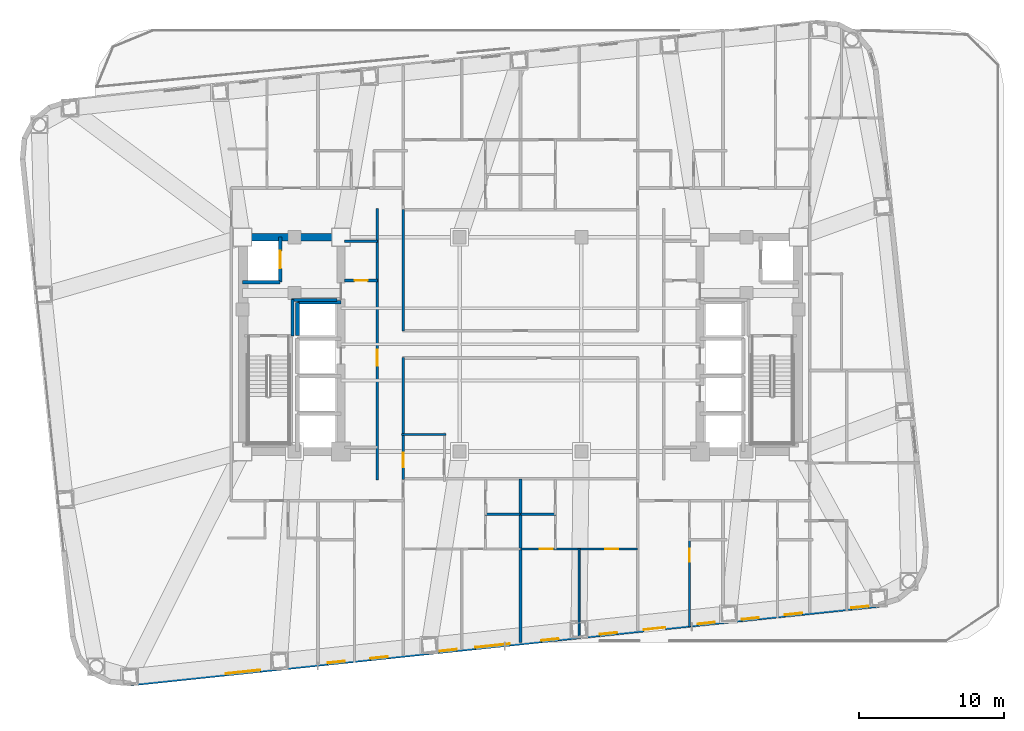
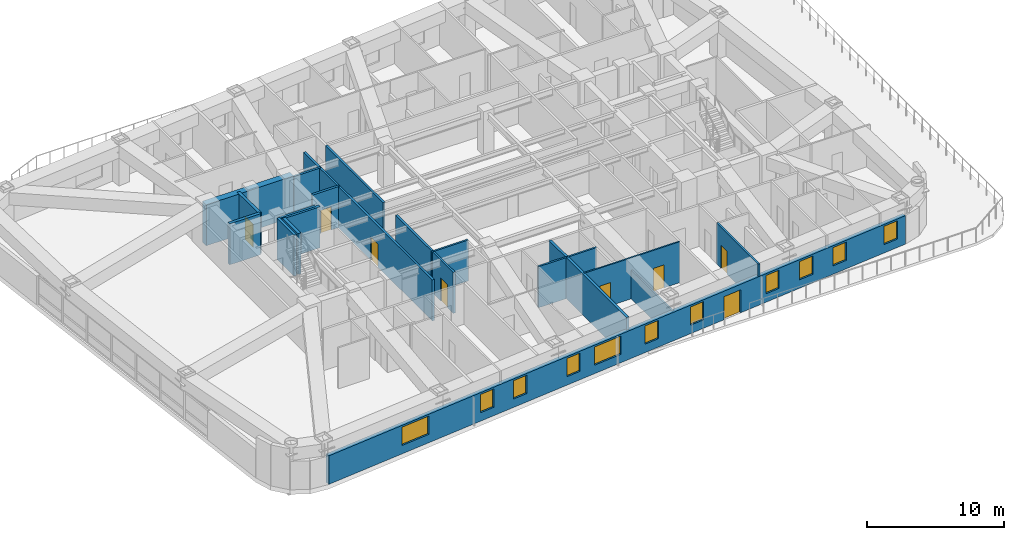
# One storey, part 8 of 15: 20 walls, 11 windows, 8 doors, 19 openings.
"""IFC4 building model written with IfcOpenShell, lengths in metres."""

from ifc_helpers import new_model, si_unit, direction, frame, frame_2d, origin, place, context, subcontext, project, spatial, rectangle, extrude, material, layer, layer_set, type_object, element, fill, save


model = new_model("IFC4")

# Units and contexts
model_context = context("Model", 3, precision=1e-05, world=origin(), true_north=direction((0.0, 1.0)))
body_context = subcontext(model_context, "Body", "Model", "MODEL_VIEW")
ifc_project = project(units=[si_unit("LENGTHUNIT", "METRE"), si_unit("AREAUNIT", "SQUARE_METRE"), si_unit("VOLUMEUNIT", "CUBIC_METRE"), si_unit("PLANEANGLEUNIT", "RADIAN"), si_unit("MASSUNIT", "GRAM", prefix="KILO")], contexts=[model_context])

# Site, building, storey
site_placement = place(None, origin())
site = spatial("IfcSite", under=ifc_project, at=site_placement, CompositionType="ELEMENT")
building_placement = place(site_placement, origin())
building = spatial("IfcBuilding", under=site, at=building_placement, Name="Voryun Gate Residences", CompositionType="ELEMENT")
storey_placement = place(building_placement, frame((0.0, 0.0, 140.39990234375)))
storey = spatial("IfcBuildingStorey", under=building, at=storey_placement, Name="L34", CompositionType="ELEMENT", Elevation=140.39990234375)

# Walls
ifc_material_1 = material(Name="Concrete C60/75", Category="concrete")
ifc_layer_1 = layer(ifc_material_1, 0.550048828125, Name="CW_CORE_550")
ifc_layer_set_1 = layer_set([ifc_layer_1], Name="Concrete C60/75")
wall_type_1 = type_object("IfcWallType", Name="CW_CORE_550", PredefinedType="SHEAR", material=ifc_layer_set_1)
wall_1_placement = place(storey_placement, frame((-19.47509765625, 7.39990234375, 0.0), z_axis=(0.0, 0.0, 1.0), x_axis=(1.0, 0.0, 0.0)))
element("IfcWall", 1, at=wall_1_placement, inside=storey, type_object=wall_type_1, Name="L34 Core shear wall CW-L34-WN", PredefinedType="SHEAR", context=body_context, shape_type="SweptSolid", body=[
    extrude(rectangle(XDim=7.35009765625, YDim=0.550048828125, at=frame_2d((3.675048828125, 0.0))), origin(), (0.0, 0.0, 1.0), 3.650146484375),
])
ifc_material_2 = material(Name="Gypsum acoustic fireboard")
ifc_layer_2 = layer(ifc_material_2, 0.179931640625, Name="W_CORR_RATED_180")
ifc_layer_set_2 = layer_set([ifc_layer_2], Name="Gypsum acoustic fireboard")
wall_type_2 = type_object("IfcWallType", Name="W_CORR_RATED_180", PredefinedType="PARTITIONING", material=ifc_layer_set_2)
wall_2_placement = place(storey_placement, frame((-12.14990234375, 7.1201171875, 0.0), z_axis=(0.0, 0.0, 1.0), x_axis=(1.0, 0.0, 0.0)))
element("IfcWall", 2, at=wall_2_placement, inside=storey, type_object=wall_type_2, Name="Partition wall WP-L34-PLBN-W", PredefinedType="PARTITIONING", context=body_context, shape_type="SweptSolid", body=[
    extrude(rectangle(XDim=2.27001953125, YDim=0.179931640625, at=frame_2d((1.135009765625, 0.0))), origin(), (0.0, 0.0, 1.0), 3.650146484375),
])

# Wall, opening, door
wall_3_placement = place(storey_placement, frame((-9.89990234375, -9.3798828125, 0.0), z_axis=(0.0, 0.0, 1.0), x_axis=(0.0, 1.0, 0.0)))
wall_3 = element("IfcWall", 3, at=wall_3_placement, inside=storey, type_object=wall_type_2, Name="Partition wall WP-L34-PLBW-FULL", PredefinedType="PARTITIONING", context=body_context, shape_type="SweptSolid", body=[
    extrude(rectangle(XDim=18.759765625, YDim=0.179931640625, at=frame_2d((9.3798828125, 0.0))), origin(), (0.0, 0.0, 1.0), 3.650146484375),
])
opening_1_placement = place(wall_3_placement, frame((7.89208984375, 0.0, 0.0)))
opening_1 = element("IfcOpeningElement", 4, at=opening_1_placement, cuts=wall_3, Name="Opening D-FD60-2", PredefinedType="OPENING", context=body_context, shape_type="SweptSolid", body=[
    extrude(rectangle(XDim=1.10009765625, YDim=2.050048828125, at=frame_2d((0.550048828125, 1.02490234375))), frame((0.0, 0.099853515625, 0.0), z_axis=(0.0, -1.0, 0.0), x_axis=(1.0, 0.0, 0.0)), (0.0, 0.0, 1.0), 0.199951171875),
])
ifc_material_3 = material(Name="Painted steel fire door", Category="steel")
door_type_1 = type_object("IfcDoorType", Name="DR_FD60_FFLOB_1100", OperationType="NOTDEFINED", PredefinedType="DOOR", material=ifc_material_3)
door_1_placement = place(opening_1_placement, origin())
door_1 = element("IfcDoor", 5, at=door_1_placement, inside=storey, type_object=door_type_1, Name="Door DR-L34-PLBW-COR", OperationType="SINGLE_SWING_LEFT", OverallHeight=2.050048828125, OverallWidth=1.10009765625, PredefinedType="DOOR", context=body_context, shape_type="SweptSolid", body=[
    extrude(rectangle(XDim=1.10009765625, YDim=2.050048828125, at=frame_2d((0.550048828125, 1.02490234375))), frame((0.0, 0.02490234375, 0.0), z_axis=(0.0, -1.0, 0.0), x_axis=(1.0, 0.0, 0.0)), (0.0, 0.0, 1.0), 0.050048828125),
])
fill(opening_1, door_1)

# Wall
wall_4_placement = place(storey_placement, frame((-8.10009765625, 0.919921875, 0.0), z_axis=(0.0, 0.0, 1.0), x_axis=(0.0, 1.0, 0.0)))
element("IfcWall", 6, at=wall_4_placement, inside=storey, type_object=wall_type_2, Name="Partition wall WP-L34-Z2WL1", PredefinedType="PARTITIONING", context=body_context, shape_type="SweptSolid", body=[
    extrude(rectangle(XDim=8.41015625, YDim=0.179931640625, at=frame_2d((4.205078125, 0.0))), origin(), (0.0, 0.0, 1.0), 3.650146484375),
])

# Wall, opening, door
wall_5_placement = place(storey_placement, frame((-8.10009765625, -9.330078125, 0.0), z_axis=(0.0, 0.0, 1.0), x_axis=(0.0, 1.0, 0.0)))
wall_5 = element("IfcWall", 7, at=wall_5_placement, inside=storey, type_object=wall_type_2, Name="Partition wall WP-L34-Z2WL2", PredefinedType="PARTITIONING", context=body_context, shape_type="SweptSolid", body=[
    extrude(rectangle(XDim=8.41015625, YDim=0.179931640625, at=frame_2d((4.205078125, 0.0))), origin(), (0.0, 0.0, 1.0), 3.650146484375),
])
opening_2_placement = place(wall_5_placement, frame((0.845703125, 0.0, 0.0)))
opening_2 = element("IfcOpeningElement", 8, at=opening_2_placement, cuts=wall_5, Name="Opening D-AWC-1", PredefinedType="OPENING", context=body_context, shape_type="SweptSolid", body=[
    extrude(rectangle(XDim=1.0, YDim=2.050048828125, at=frame_2d((0.5, 1.02490234375))), frame((0.0, 0.099853515625, 0.0), z_axis=(0.0, -1.0, 0.0), x_axis=(1.0, 0.0, 0.0)), (0.0, 0.0, 1.0), 0.199951171875),
])
ifc_material_4 = material(Name="Architectural oak veneer")
door_type_2 = type_object("IfcDoorType", Name="DR_ACC_WC_1000", OperationType="NOTDEFINED", PredefinedType="DOOR", material=ifc_material_4)
door_2_placement = place(opening_2_placement, origin())
door_2 = element("IfcDoor", 9, at=door_2_placement, inside=storey, type_object=door_type_2, Name="Door DR-L34-CMWC-D", OperationType="SINGLE_SWING_LEFT", OverallHeight=2.050048828125, OverallWidth=1.0, PredefinedType="DOOR", context=body_context, shape_type="SweptSolid", body=[
    extrude(rectangle(XDim=1.0, YDim=2.050048828125, at=frame_2d((0.5, 1.02490234375))), frame((0.0, 0.02490234375, 0.0), z_axis=(0.0, -1.0, 0.0), x_axis=(1.0, 0.0, 0.0)), (0.0, 0.0, 1.0), 0.050048828125),
])
fill(opening_2, door_2)

# Wall, openings, door, windows
ifc_material_5 = material(Name="Charcoal terracotta masonry", Category="masonry")
ifc_layer_3 = layer(ifc_material_5, 0.340087890625, Name="W_EXT_TERRACOTTA_340")
ifc_layer_set_3 = layer_set([ifc_layer_3], Name="Charcoal terracotta masonry")
wall_type_3 = type_object("IfcWallType", Name="W_EXT_TERRACOTTA_340", PredefinedType="ELEMENTEDWALL", material=ifc_layer_set_3)
wall_6_placement = place(storey_placement, frame((24.755615234375, -18.003173828125, 0.0), z_axis=(0.0, 0.0, 1.0), x_axis=(-0.99452160744, -0.104531202687, 0.0)))
wall_6 = element("IfcWall", 10, at=wall_6_placement, inside=storey, type_object=wall_type_3, Name="Exterior wall WEXT-L34-01", PredefinedType="ELEMENTEDWALL", context=body_context, shape_type="SweptSolid", body=[
    extrude(rectangle(XDim=51.966552734375, YDim=0.340087890625, at=frame_2d((25.9833984375, 0.0))), origin(), (0.0, 0.0, 1.0), 2.5400390625),
])
opening_3_placement = place(wall_6_placement, frame((14.840087890625, 0.0, 0.0)))
opening_3 = element("IfcOpeningElement", 11, at=opening_3_placement, cuts=wall_6, Name="Opening D-TER-1", PredefinedType="OPENING", context=body_context, shape_type="SweptSolid", body=[
    extrude(rectangle(XDim=1.5, YDim=2.050048828125, at=frame_2d((0.75, 1.02490234375))), frame((0.0, 0.179931640625, 0.0), z_axis=(0.0, -1.0, 0.0), x_axis=(1.0, 0.0, 0.0)), (0.0, 0.0, 1.0), 0.360107421875),
])
opening_4_placement = place(wall_6_placement, frame((25.63330078125, 0.0, 0.75)))
opening_4 = element("IfcOpeningElement", 12, at=opening_4_placement, cuts=wall_6, Name="Opening WN2", PredefinedType="OPENING", context=body_context, shape_type="SweptSolid", body=[
    extrude(rectangle(XDim=2.39990234375, YDim=1.6298828125, at=frame_2d((1.199951171875, 0.81494140625))), frame((0.0, 0.179931640625, 0.0), z_axis=(0.0, -1.0, 0.0), x_axis=(1.0, 0.0, 0.0)), (0.0, 0.0, 1.0), 0.360107421875),
])
opening_5_placement = place(wall_6_placement, frame((42.955322265625, 0.0, 0.75)))
opening_5 = element("IfcOpeningElement", 13, at=opening_5_placement, cuts=wall_6, Name="Opening WN2", PredefinedType="OPENING", context=body_context, shape_type="SweptSolid", body=[
    extrude(rectangle(XDim=2.39990234375, YDim=1.6298828125, at=frame_2d((1.199951171875, 0.81494140625))), frame((0.0, 0.179931640625, 0.0), z_axis=(0.0, -1.0, 0.0), x_axis=(1.0, 0.0, 0.0)), (0.0, 0.0, 1.0), 0.360107421875),
])
opening_6_placement = place(wall_6_placement, frame((34.120849609375, 0.0, 0.75)))
opening_6 = element("IfcOpeningElement", 14, at=opening_6_placement, cuts=wall_6, Name="Opening WN6", PredefinedType="OPENING", context=body_context, shape_type="SweptSolid", body=[
    extrude(rectangle(XDim=1.199951171875, YDim=1.6298828125, at=frame_2d((0.60009765625, 0.81494140625))), frame((0.0, 0.179931640625, 0.0), z_axis=(0.0, -1.0, 0.0), x_axis=(1.0, 0.0, 0.0)), (0.0, 0.0, 1.0), 0.360107421875),
])
opening_7_placement = place(wall_6_placement, frame((37.09228515625, 0.0, 0.75)))
opening_7 = element("IfcOpeningElement", 15, at=opening_7_placement, cuts=wall_6, Name="Opening WN6", PredefinedType="OPENING", context=body_context, shape_type="SweptSolid", body=[
    extrude(rectangle(XDim=1.199951171875, YDim=1.6298828125, at=frame_2d((0.60009765625, 0.81494140625))), frame((0.0, 0.179931640625, 0.0), z_axis=(0.0, -1.0, 0.0), x_axis=(1.0, 0.0, 0.0)), (0.0, 0.0, 1.0), 0.360107421875),
])
opening_8_placement = place(wall_6_placement, frame((11.387939453125, 0.0, 0.75)))
opening_8 = element("IfcOpeningElement", 16, at=opening_8_placement, cuts=wall_6, Name="Opening WN6", PredefinedType="OPENING", context=body_context, shape_type="SweptSolid", body=[
    extrude(rectangle(XDim=1.199951171875, YDim=1.6298828125, at=frame_2d((0.60009765625, 0.81494140625))), frame((0.0, 0.179931640625, 0.0), z_axis=(0.0, -1.0, 0.0), x_axis=(1.0, 0.0, 0.0)), (0.0, 0.0, 1.0), 0.360107421875),
])
opening_9_placement = place(wall_6_placement, frame((8.33203125, 0.0, 0.75)))
opening_9 = element("IfcOpeningElement", 17, at=opening_9_placement, cuts=wall_6, Name="Opening WN6", PredefinedType="OPENING", context=body_context, shape_type="SweptSolid", body=[
    extrude(rectangle(XDim=1.199951171875, YDim=1.6298828125, at=frame_2d((0.60009765625, 0.81494140625))), frame((0.0, 0.179931640625, 0.0), z_axis=(0.0, -1.0, 0.0), x_axis=(1.0, 0.0, 0.0)), (0.0, 0.0, 1.0), 0.360107421875),
])
opening_10_placement = place(wall_6_placement, frame((5.330810546875, 0.0, 0.75)))
opening_10 = element("IfcOpeningElement", 18, at=opening_10_placement, cuts=wall_6, Name="Opening WN6", PredefinedType="OPENING", context=body_context, shape_type="SweptSolid", body=[
    extrude(rectangle(XDim=1.199951171875, YDim=1.6298828125, at=frame_2d((0.60009765625, 0.81494140625))), frame((0.0, 0.179931640625, 0.0), z_axis=(0.0, -1.0, 0.0), x_axis=(1.0, 0.0, 0.0)), (0.0, 0.0, 1.0), 0.360107421875),
])
opening_11_placement = place(wall_6_placement, frame((29.31298828125, 0.0, 0.75)))
opening_11 = element("IfcOpeningElement", 19, at=opening_11_placement, cuts=wall_6, Name="Opening WN6", PredefinedType="OPENING", context=body_context, shape_type="SweptSolid", body=[
    extrude(rectangle(XDim=1.199951171875, YDim=1.6298828125, at=frame_2d((0.60009765625, 0.81494140625))), frame((0.0, 0.179931640625, 0.0), z_axis=(0.0, -1.0, 0.0), x_axis=(1.0, 0.0, 0.0)), (0.0, 0.0, 1.0), 0.360107421875),
])
opening_12_placement = place(wall_6_placement, frame((22.248291015625, 0.0, 0.75)))
opening_12 = element("IfcOpeningElement", 20, at=opening_12_placement, cuts=wall_6, Name="Opening WN6", PredefinedType="OPENING", context=body_context, shape_type="SweptSolid", body=[
    extrude(rectangle(XDim=1.199951171875, YDim=1.6298828125, at=frame_2d((0.60009765625, 0.81494140625))), frame((0.0, 0.179931640625, 0.0), z_axis=(0.0, -1.0, 0.0), x_axis=(1.0, 0.0, 0.0)), (0.0, 0.0, 1.0), 0.360107421875),
])
opening_13_placement = place(wall_6_placement, frame((18.18603515625, 0.0, 0.75)))
opening_13 = element("IfcOpeningElement", 21, at=opening_13_placement, cuts=wall_6, Name="Opening WN6", PredefinedType="OPENING", context=body_context, shape_type="SweptSolid", body=[
    extrude(rectangle(XDim=1.199951171875, YDim=1.6298828125, at=frame_2d((0.60009765625, 0.81494140625))), frame((0.0, 0.179931640625, 0.0), z_axis=(0.0, -1.0, 0.0), x_axis=(1.0, 0.0, 0.0)), (0.0, 0.0, 1.0), 0.360107421875),
])
opening_14_placement = place(wall_6_placement, frame((0.718017578125, 0.0, 0.75)))
opening_14 = element("IfcOpeningElement", 22, at=opening_14_placement, cuts=wall_6, Name="Opening WN6", PredefinedType="OPENING", context=body_context, shape_type="SweptSolid", body=[
    extrude(rectangle(XDim=1.199951171875, YDim=1.6298828125, at=frame_2d((0.60009765625, 0.81494140625))), frame((0.0, 0.179931640625, 0.0), z_axis=(0.0, -1.0, 0.0), x_axis=(1.0, 0.0, 0.0)), (0.0, 0.0, 1.0), 0.360107421875),
])
ifc_material_6 = material(Name="Thermally broken aluminium and low-E glass", Category="aluminium")
door_type_3 = type_object("IfcDoorType", Name="DR_TERR_EXIT_1500", OperationType="NOTDEFINED", PredefinedType="DOOR", material=ifc_material_6)
door_3_placement = place(opening_3_placement, origin())
door_3 = element("IfcDoor", 23, at=door_3_placement, inside=storey, type_object=door_type_3, Name="Door DR-L34-OUT-01", OperationType="SLIDING_TO_RIGHT", OverallHeight=2.050048828125, OverallWidth=1.5, PredefinedType="DOOR", context=body_context, shape_type="SweptSolid", body=[
    extrude(rectangle(XDim=1.5, YDim=2.050048828125, at=frame_2d((0.75, 1.02490234375))), frame((0.0, 0.02490234375, 0.0), z_axis=(0.0, -1.0, 0.0), x_axis=(1.0, 0.0, 0.0)), (0.0, 0.0, 1.0), 0.050048828125),
])
fill(opening_3, door_3)
ifc_material_7 = material(Name="Laminated low-E glass", Category="glass")
window_type_1 = type_object("IfcWindowType", Name="WN_POD_SLOT_1200", PartitioningType="SINGLE_PANEL", PredefinedType="WINDOW", material=ifc_material_7)
window_1_placement = place(opening_6_placement, origin())
window_1 = element("IfcWindow", 24, at=window_1_placement, inside=storey, type_object=window_type_1, Name="Window WN-L34-DWFIX-10", OverallHeight=1.6298828125, OverallWidth=1.199951171875, PartitioningType="SINGLE_PANEL", PredefinedType="WINDOW", context=body_context, shape_type="SweptSolid", body=[
    extrude(rectangle(XDim=1.199951171875, YDim=1.6298828125, at=frame_2d((0.60009765625, 0.81494140625))), frame((0.0, 0.030029296875, 0.0), z_axis=(0.0, -1.0, 0.0), x_axis=(1.0, 0.0, 0.0)), (0.0, 0.0, 1.0), 0.06005859375),
])
fill(opening_6, window_1)
window_2_placement = place(opening_7_placement, origin())
window_2 = element("IfcWindow", 25, at=window_2_placement, inside=storey, type_object=window_type_1, Name="Window WN-L34-DWFIX-11", OverallHeight=1.6298828125, OverallWidth=1.199951171875, PartitioningType="SINGLE_PANEL", PredefinedType="WINDOW", context=body_context, shape_type="SweptSolid", body=[
    extrude(rectangle(XDim=1.199951171875, YDim=1.6298828125, at=frame_2d((0.60009765625, 0.81494140625))), frame((0.0, 0.030029296875, 0.0), z_axis=(0.0, -1.0, 0.0), x_axis=(1.0, 0.0, 0.0)), (0.0, 0.0, 1.0), 0.06005859375),
])
fill(opening_7, window_2)
window_3_placement = place(opening_8_placement, origin())
window_3 = element("IfcWindow", 26, at=window_3_placement, inside=storey, type_object=window_type_1, Name="Window WN-L34-DWFIX-12", OverallHeight=1.6298828125, OverallWidth=1.199951171875, PartitioningType="SINGLE_PANEL", PredefinedType="WINDOW", context=body_context, shape_type="SweptSolid", body=[
    extrude(rectangle(XDim=1.199951171875, YDim=1.6298828125, at=frame_2d((0.60009765625, 0.81494140625))), frame((0.0, 0.030029296875, 0.0), z_axis=(0.0, -1.0, 0.0), x_axis=(1.0, 0.0, 0.0)), (0.0, 0.0, 1.0), 0.06005859375),
])
fill(opening_8, window_3)
window_4_placement = place(opening_9_placement, origin())
window_4 = element("IfcWindow", 27, at=window_4_placement, inside=storey, type_object=window_type_1, Name="Window WN-L34-DWFIX-13", OverallHeight=1.6298828125, OverallWidth=1.199951171875, PartitioningType="SINGLE_PANEL", PredefinedType="WINDOW", context=body_context, shape_type="SweptSolid", body=[
    extrude(rectangle(XDim=1.199951171875, YDim=1.6298828125, at=frame_2d((0.60009765625, 0.81494140625))), frame((0.0, 0.030029296875, 0.0), z_axis=(0.0, -1.0, 0.0), x_axis=(1.0, 0.0, 0.0)), (0.0, 0.0, 1.0), 0.06005859375),
])
fill(opening_9, window_4)
window_5_placement = place(opening_10_placement, origin())
window_5 = element("IfcWindow", 28, at=window_5_placement, inside=storey, type_object=window_type_1, Name="Window WN-L34-DWFIX-14", OverallHeight=1.6298828125, OverallWidth=1.199951171875, PartitioningType="SINGLE_PANEL", PredefinedType="WINDOW", context=body_context, shape_type="SweptSolid", body=[
    extrude(rectangle(XDim=1.199951171875, YDim=1.6298828125, at=frame_2d((0.60009765625, 0.81494140625))), frame((0.0, 0.030029296875, 0.0), z_axis=(0.0, -1.0, 0.0), x_axis=(1.0, 0.0, 0.0)), (0.0, 0.0, 1.0), 0.06005859375),
])
fill(opening_10, window_5)
window_6_placement = place(opening_11_placement, origin())
window_6 = element("IfcWindow", 29, at=window_6_placement, inside=storey, type_object=window_type_1, Name="Window WN-L34-DWFIX-15", OverallHeight=1.6298828125, OverallWidth=1.199951171875, PartitioningType="SINGLE_PANEL", PredefinedType="WINDOW", context=body_context, shape_type="SweptSolid", body=[
    extrude(rectangle(XDim=1.199951171875, YDim=1.6298828125, at=frame_2d((0.60009765625, 0.81494140625))), frame((0.0, 0.030029296875, 0.0), z_axis=(0.0, -1.0, 0.0), x_axis=(1.0, 0.0, 0.0)), (0.0, 0.0, 1.0), 0.06005859375),
])
fill(opening_11, window_6)
window_7_placement = place(opening_12_placement, origin())
window_7 = element("IfcWindow", 30, at=window_7_placement, inside=storey, type_object=window_type_1, Name="Window WN-L34-DWFIX-16", OverallHeight=1.6298828125, OverallWidth=1.199951171875, PartitioningType="SINGLE_PANEL", PredefinedType="WINDOW", context=body_context, shape_type="SweptSolid", body=[
    extrude(rectangle(XDim=1.199951171875, YDim=1.6298828125, at=frame_2d((0.60009765625, 0.81494140625))), frame((0.0, 0.030029296875, 0.0), z_axis=(0.0, -1.0, 0.0), x_axis=(1.0, 0.0, 0.0)), (0.0, 0.0, 1.0), 0.06005859375),
])
fill(opening_12, window_7)
window_8_placement = place(opening_13_placement, origin())
window_8 = element("IfcWindow", 31, at=window_8_placement, inside=storey, type_object=window_type_1, Name="Window WN-L34-DWFIX-17", OverallHeight=1.6298828125, OverallWidth=1.199951171875, PartitioningType="SINGLE_PANEL", PredefinedType="WINDOW", context=body_context, shape_type="SweptSolid", body=[
    extrude(rectangle(XDim=1.199951171875, YDim=1.6298828125, at=frame_2d((0.60009765625, 0.81494140625))), frame((0.0, 0.030029296875, 0.0), z_axis=(0.0, -1.0, 0.0), x_axis=(1.0, 0.0, 0.0)), (0.0, 0.0, 1.0), 0.06005859375),
])
fill(opening_13, window_8)
window_9_placement = place(opening_14_placement, origin())
window_9 = element("IfcWindow", 32, at=window_9_placement, inside=storey, type_object=window_type_1, Name="Window WN-L34-DWFIX-18", OverallHeight=1.6298828125, OverallWidth=1.199951171875, PartitioningType="SINGLE_PANEL", PredefinedType="WINDOW", context=body_context, shape_type="SweptSolid", body=[
    extrude(rectangle(XDim=1.199951171875, YDim=1.6298828125, at=frame_2d((0.60009765625, 0.81494140625))), frame((0.0, 0.030029296875, 0.0), z_axis=(0.0, -1.0, 0.0), x_axis=(1.0, 0.0, 0.0)), (0.0, 0.0, 1.0), 0.06005859375),
])
fill(opening_14, window_9)
ifc_material_8 = material(Name="Laminated low-E glass", Category="glass")
window_type_2 = type_object("IfcWindowType", Name="WN_RES_WIDE_2400", PartitioningType="SINGLE_PANEL", PredefinedType="WINDOW", material=ifc_material_8)
window_10_placement = place(opening_4_placement, origin())
window_10 = element("IfcWindow", 33, at=window_10_placement, inside=storey, type_object=window_type_2, Name="Window WN-WEXT-L34-01-02", OverallHeight=1.6298828125, OverallWidth=2.39990234375, PartitioningType="SINGLE_PANEL", PredefinedType="WINDOW", context=body_context, shape_type="SweptSolid", body=[
    extrude(rectangle(XDim=2.39990234375, YDim=1.6298828125, at=frame_2d((1.199951171875, 0.81494140625))), frame((0.0, 0.030029296875, 0.0), z_axis=(0.0, -1.0, 0.0), x_axis=(1.0, 0.0, 0.0)), (0.0, 0.0, 1.0), 0.06005859375),
])
fill(opening_4, window_10)
window_11_placement = place(opening_5_placement, origin())
window_11 = element("IfcWindow", 34, at=window_11_placement, inside=storey, type_object=window_type_2, Name="Window WN-WEXT-L34-01-03", OverallHeight=1.6298828125, OverallWidth=2.39990234375, PartitioningType="SINGLE_PANEL", PredefinedType="WINDOW", context=body_context, shape_type="SweptSolid", body=[
    extrude(rectangle(XDim=2.39990234375, YDim=1.6298828125, at=frame_2d((1.199951171875, 0.81494140625))), frame((0.0, 0.030029296875, 0.0), z_axis=(0.0, -1.0, 0.0), x_axis=(1.0, 0.0, 0.0)), (0.0, 0.0, 1.0), 0.06005859375),
])
fill(opening_5, window_11)

# Walls
ifc_material_9 = material(Name="Concrete C40/50", Category="concrete")
ifc_layer_4 = layer(ifc_material_9, 0.199951171875, Name="W_FF_LOBBY_200")
ifc_layer_set_4 = layer_set([ifc_layer_4], Name="Concrete C40/50")
wall_type_4 = type_object("IfcWallType", Name="W_FF_LOBBY_200", PredefinedType="PARTITIONING", material=ifc_layer_set_4)
wall_7_placement = place(storey_placement, frame((-15.760009765625, 0.580078125, 0.0), z_axis=(0.0, 0.0, 1.0), x_axis=(0.0, 1.0, 0.0)))
element("IfcWall", 35, at=wall_7_placement, inside=storey, type_object=wall_type_4, Name="Partition wall WP-L34-FFP0-W", PredefinedType="PARTITIONING", context=body_context, shape_type="SweptSolid", body=[
    extrude(rectangle(XDim=2.52001953125, YDim=0.199951171875, at=frame_2d((1.260009765625, 0.0))), origin(), (0.0, 0.0, 1.0), 3.650146484375),
])
wall_8_placement = place(storey_placement, frame((-15.820068359375, 3.06005859375, 0.0), z_axis=(0.0, 0.0, 1.0), x_axis=(1.0, 0.0, 0.0)))
element("IfcWall", 36, at=wall_8_placement, inside=storey, type_object=wall_type_4, Name="Partition wall WP-L34-FFPS-W", PredefinedType="PARTITIONING", context=body_context, shape_type="SweptSolid", body=[
    extrude(rectangle(XDim=3.16015625, YDim=0.199951171875, at=frame_2d((1.580078125, 0.0))), origin(), (0.0, 0.0, 1.0), 3.650146484375),
])

# Wall, opening, door
wall_9_placement = place(storey_placement, frame((-12.14990234375, 4.409912109375, 0.0), z_axis=(0.0, 0.0, 1.0), x_axis=(1.0, 0.0, 0.0)))
wall_9 = element("IfcWall", 37, at=wall_9_placement, inside=storey, type_object=wall_type_4, Name="Partition wall WP-L34-CSFLKS-W", PredefinedType="PARTITIONING", context=body_context, shape_type="SweptSolid", body=[
    extrude(rectangle(XDim=2.27001953125, YDim=0.199951171875, at=frame_2d((1.135009765625, 0.0))), origin(), (0.0, 0.0, 1.0), 3.650146484375),
])
opening_15_placement = place(wall_9_placement, frame((0.68505859375, 0.0, 0.0)))
opening_15 = element("IfcOpeningElement", 38, at=opening_15_placement, cuts=wall_9, Name="Opening D-FD60-4", PredefinedType="OPENING", context=body_context, shape_type="SweptSolid", body=[
    extrude(rectangle(XDim=0.89990234375, YDim=2.050048828125, at=frame_2d((0.449951171875, 1.02490234375))), frame((0.0, 0.110107421875, 0.0), z_axis=(0.0, -1.0, 0.0), x_axis=(1.0, 0.0, 0.0)), (0.0, 0.0, 1.0), 0.219970703125),
])
ifc_material_10 = material(Name="Painted steel fire door", Category="steel")
door_type_4 = type_object("IfcDoorType", Name="DR_FD60_RISER_900", OperationType="NOTDEFINED", PredefinedType="DOOR", material=ifc_material_10)
door_4_placement = place(opening_15_placement, origin())
door_4 = element("IfcDoor", 39, at=door_4_placement, inside=storey, type_object=door_type_4, Name="Door DR-L34-CSFLK-W", OperationType="SINGLE_SWING_LEFT", OverallHeight=2.050048828125, OverallWidth=0.89990234375, PredefinedType="DOOR", context=body_context, shape_type="SweptSolid", body=[
    extrude(rectangle(XDim=0.89990234375, YDim=2.050048828125, at=frame_2d((0.449951171875, 1.02490234375))), frame((0.0, 0.02490234375, 0.0), z_axis=(0.0, -1.0, 0.0), x_axis=(1.0, 0.0, 0.0)), (0.0, 0.0, 1.0), 0.050048828125),
])
fill(opening_15, door_4)

# Walls
ifc_material_11 = material(Name="Concrete C40/50", Category="concrete")
ifc_layer_5 = layer(ifc_material_11, 0.219970703125, Name="W_PARTY_ACOUSTIC_220")
ifc_layer_set_5 = layer_set([ifc_layer_5], Name="Concrete C40/50")
wall_type_5 = type_object("IfcWallType", Name="W_PARTY_ACOUSTIC_220", PredefinedType="PARTITIONING", material=ifc_layer_set_5)
wall_10_placement = place(storey_placement, frame((0.0, -20.60498046875, 0.0), z_axis=(0.0, 0.0, 1.0), x_axis=(0.0, 1.0, 0.0)))
element("IfcWall", 40, at=wall_10_placement, inside=storey, type_object=wall_type_5, Name="Partition wall WP-L34-SZMID", PredefinedType="PARTITIONING", context=body_context, shape_type="SweptSolid", body=[
    extrude(rectangle(XDim=11.31494140625, YDim=0.219970703125, at=frame_2d((5.657470703125, 0.0))), origin(), (0.0, 0.0, 1.0), 3.650146484375),
])
ifc_material_12 = material(Name="Concrete C50/60", Category="concrete")
ifc_layer_6 = layer(ifc_material_12, 0.25, Name="W_SHAFT_RC250")
ifc_layer_set_6 = layer_set([ifc_layer_6], Name="Concrete C50/60")
wall_type_6 = type_object("IfcWallType", Name="W_SHAFT_RC250", PredefinedType="SOLIDWALL", material=ifc_layer_set_6)
wall_11_placement = place(storey_placement, frame((-19.199951171875, 4.300048828125, 0.0), z_axis=(0.0, 0.0, 1.0), x_axis=(1.0, 0.0, 0.0)))
element("IfcWall", 41, at=wall_11_placement, inside=storey, type_object=wall_type_6, Name="Lift shaft wall WSH-L34-EL-FF-W1-S", PredefinedType="SOLIDWALL", context=body_context, shape_type="SweptSolid", body=[
    extrude(rectangle(XDim=2.599853515625, YDim=0.25, at=frame_2d((1.2998046875, 0.0))), origin(), (0.0, 0.0, 1.0), 3.650146484375),
])

# Wall, opening, door
wall_12_placement = place(storey_placement, frame((-16.60009765625, 4.300048828125, 0.0), z_axis=(0.0, 0.0, 1.0), x_axis=(0.0, 1.0, 0.0)))
wall_12 = element("IfcWall", 42, at=wall_12_placement, inside=storey, type_object=wall_type_6, Name="Lift shaft wall WSH-L34-EL-FF-W1-E", PredefinedType="SOLIDWALL", context=body_context, shape_type="SweptSolid", body=[
    extrude(rectangle(XDim=3.099853515625, YDim=0.25, at=frame_2d((1.5498046875, 0.0))), origin(), (0.0, 0.0, 1.0), 3.650146484375),
])
opening_16_placement = place(wall_12_placement, frame((0.949951171875, 0.0, 0.0)))
opening_16 = element("IfcOpeningElement", 43, at=opening_16_placement, cuts=wall_12, Name="Opening LD1", PredefinedType="OPENING", context=body_context, shape_type="SweptSolid", body=[
    extrude(rectangle(XDim=1.199951171875, YDim=2.050048828125, at=frame_2d((0.60009765625, 1.02490234375))), frame((0.0, 0.135009765625, 0.0), z_axis=(0.0, -1.0, 0.0), x_axis=(1.0, 0.0, 0.0)), (0.0, 0.0, 1.0), 0.27001953125),
])
ifc_material_13 = material(Name="Anodised aluminium", Category="aluminium")
door_type_5 = type_object("IfcDoorType", Name="DR_LD_FF_1200", OperationType="NOTDEFINED", PredefinedType="DOOR", material=ifc_material_13)
door_5_placement = place(opening_16_placement, origin())
door_5 = element("IfcDoor", 44, at=door_5_placement, inside=storey, type_object=door_type_5, Name="Lift EL-FF-W1 sliding landing door L34", OperationType="SLIDING_TO_LEFT", OverallHeight=2.050048828125, OverallWidth=1.199951171875, PredefinedType="DOOR", context=body_context, shape_type="SweptSolid", body=[
    extrude(rectangle(XDim=1.199951171875, YDim=2.050048828125, at=frame_2d((0.60009765625, 1.02490234375))), frame((0.0, 0.02490234375, 0.0), z_axis=(0.0, -1.0, 0.0), x_axis=(1.0, 0.0, 0.0)), (0.0, 0.0, 1.0), 0.050048828125),
])
fill(opening_16, door_5)

# Walls
wall_13_placement = place(storey_placement, frame((-12.39990234375, 2.89990234375, 0.0), z_axis=(0.0, 0.0, 1.0), x_axis=(-1.0, 0.0, 0.0)))
element("IfcWall", 45, at=wall_13_placement, inside=storey, type_object=wall_type_6, Name="Lift shaft wall WSH-L34-EL-P7-N", PredefinedType="SOLIDWALL", context=body_context, shape_type="SweptSolid", body=[
    extrude(rectangle(XDim=3.0, YDim=0.25, at=frame_2d((1.5, 0.0))), origin(), (0.0, 0.0, 1.0), 3.650146484375),
])
wall_14_placement = place(storey_placement, frame((-15.39990234375, 2.89990234375, 0.0), z_axis=(0.0, 0.0, 1.0), x_axis=(0.0, -1.0, 0.0)))
element("IfcWall", 46, at=wall_14_placement, inside=storey, type_object=wall_type_6, Name="Lift shaft wall WSH-L34-EL-P7-W", PredefinedType="SOLIDWALL", context=body_context, shape_type="SweptSolid", body=[
    extrude(rectangle(XDim=2.2998046875, YDim=0.25, at=frame_2d((1.14990234375, 0.0))), origin(), (0.0, 0.0, 1.0), 3.650146484375),
])

# Wall, openings, doors
ifc_material_14 = material(Name="Gypsum acoustic partition")
ifc_layer_7 = layer(ifc_material_14, 0.125, Name="W_UNIT_PART_125")
ifc_layer_set_7 = layer_set([ifc_layer_7], Name="Gypsum acoustic partition")
wall_type_7 = type_object("IfcWallType", Name="W_UNIT_PART_125", PredefinedType="PARTITIONING", material=ifc_layer_set_7)
wall_15_placement = place(storey_placement, frame((0.02001953125, -14.1298828125, 0.0), z_axis=(0.0, 0.0, 1.0), x_axis=(1.0, 0.0, 0.0)))
wall_15 = element("IfcWall", 47, at=wall_15_placement, inside=storey, type_object=wall_type_7, Name="Partition wall WP-L34-SC2-HZ", PredefinedType="PARTITIONING", context=body_context, shape_type="SweptSolid", body=[
    extrude(rectangle(XDim=8.06005859375, YDim=0.125, at=frame_2d((4.030029296875, 0.0))), origin(), (0.0, 0.0, 1.0), 3.650146484375),
])
opening_17_placement = place(wall_15_placement, frame((1.3232421875, 0.0, 0.0)))
opening_17 = element("IfcOpeningElement", 48, at=opening_17_placement, cuts=wall_15, Name="Opening D-INT-2", PredefinedType="OPENING", context=body_context, shape_type="SweptSolid", body=[
    extrude(rectangle(XDim=0.89990234375, YDim=2.050048828125, at=frame_2d((0.449951171875, 1.02490234375))), frame((0.0, 0.072509765625, 0.0), z_axis=(0.0, -1.0, 0.0), x_axis=(1.0, 0.0, 0.0)), (0.0, 0.0, 1.0), 0.14501953125),
])
opening_18_placement = place(wall_15_placement, frame((5.8369140625, 0.0, 0.0)))
opening_18 = element("IfcOpeningElement", 49, at=opening_18_placement, cuts=wall_15, Name="Opening D-INT-2", PredefinedType="OPENING", context=body_context, shape_type="SweptSolid", body=[
    extrude(rectangle(XDim=0.89990234375, YDim=2.050048828125, at=frame_2d((0.449951171875, 1.02490234375))), frame((0.0, 0.072509765625, 0.0), z_axis=(0.0, -1.0, 0.0), x_axis=(1.0, 0.0, 0.0)), (0.0, 0.0, 1.0), 0.14501953125),
])
ifc_material_15 = material(Name="Architectural oak veneer")
door_type_6 = type_object("IfcDoorType", Name="DR_INT_BATH_900", OperationType="NOTDEFINED", PredefinedType="DOOR", material=ifc_material_15)
door_6_placement = place(opening_17_placement, origin())
door_6 = element("IfcDoor", 50, at=door_6_placement, inside=storey, type_object=door_type_6, Name="Door DR-L34-SC2-DMB", OperationType="SINGLE_SWING_LEFT", OverallHeight=2.050048828125, OverallWidth=0.89990234375, PredefinedType="DOOR", context=body_context, shape_type="SweptSolid", body=[
    extrude(rectangle(XDim=0.89990234375, YDim=2.050048828125, at=frame_2d((0.449951171875, 1.02490234375))), frame((0.0, 0.02490234375, 0.0), z_axis=(0.0, -1.0, 0.0), x_axis=(1.0, 0.0, 0.0)), (0.0, 0.0, 1.0), 0.050048828125),
])
fill(opening_17, door_6)
door_7_placement = place(opening_18_placement, origin())
door_7 = element("IfcDoor", 51, at=door_7_placement, inside=storey, type_object=door_type_6, Name="Door DR-L34-SC2-DBD2", OperationType="SINGLE_SWING_RIGHT", OverallHeight=2.050048828125, OverallWidth=0.89990234375, PredefinedType="DOOR", context=body_context, shape_type="SweptSolid", body=[
    extrude(rectangle(XDim=0.89990234375, YDim=2.050048828125, at=frame_2d((0.449951171875, 1.02490234375))), frame((0.0, 0.02490234375, 0.0), z_axis=(0.0, -1.0, 0.0), x_axis=(1.0, 0.0, 0.0)), (0.0, 0.0, 1.0), 0.050048828125),
])
fill(opening_18, door_7)

# Walls
wall_16_placement = place(storey_placement, frame((4.050048828125, -20.179443359375, 0.0), z_axis=(0.0, 0.0, 1.0), x_axis=(0.0, 1.0, 0.0)))
element("IfcWall", 52, at=wall_16_placement, inside=storey, type_object=wall_type_7, Name="Partition wall WP-L34-SC2-VBD", PredefinedType="PARTITIONING", context=body_context, shape_type="SweptSolid", body=[
    extrude(rectangle(XDim=6.08935546875, YDim=0.125, at=frame_2d((3.044677734375, 0.0))), origin(), (0.0, 0.0, 1.0), 2.5400390625),
])
ifc_material_16 = material(Name="Gypsum moisture-resistant partition")
ifc_layer_8 = layer(ifc_material_16, 0.14990234375, Name="W_WET_PLUMB_150")
ifc_layer_set_8 = layer_set([ifc_layer_8], Name="Gypsum moisture-resistant partition")
wall_type_8 = type_object("IfcWallType", Name="W_WET_PLUMB_150", PredefinedType="PLUMBINGWALL", material=ifc_layer_set_8)
wall_17_placement = place(storey_placement, frame((-8.2099609375, -6.219970703125, 0.0), z_axis=(0.0, 0.0, 1.0), x_axis=(1.0, 0.0, 0.0)))
element("IfcWall", 53, at=wall_17_placement, inside=storey, type_object=wall_type_8, Name="Partition wall WP-L34-CMWCY", PredefinedType="PLUMBINGWALL", context=body_context, shape_type="SweptSolid", body=[
    extrude(rectangle(XDim=3.050048828125, YDim=0.14990234375, at=frame_2d((1.52490234375, 0.0))), origin(), (0.0, 0.0, 1.0), 3.650146484375),
])

# Wall, opening, door
wall_18_placement = place(storey_placement, frame((11.672119140625, -19.529052734375, 0.0), z_axis=(0.0, 0.0, 1.0), x_axis=(0.0, 1.0, 0.0)))
wall_18 = element("IfcWall", 54, at=wall_18_placement, inside=storey, type_object=wall_type_8, Name="Partition wall WP-L34-S4-SVT1", PredefinedType="PLUMBINGWALL", context=body_context, shape_type="SweptSolid", body=[
    extrude(rectangle(XDim=6.069091796875, YDim=0.14990234375, at=frame_2d((3.03466796875, 0.0))), origin(), (0.0, 0.0, 1.0), 3.650146484375),
])
opening_19_placement = place(wall_18_placement, frame((4.526611328125, 0.0, 0.0)))
opening_19 = element("IfcOpeningElement", 55, at=opening_19_placement, cuts=wall_18, Name="Opening D-INT-2", PredefinedType="OPENING", context=body_context, shape_type="SweptSolid", body=[
    extrude(rectangle(XDim=0.89990234375, YDim=2.050048828125, at=frame_2d((0.449951171875, 1.02490234375))), frame((0.0, 0.0849609375, 0.0), z_axis=(0.0, -1.0, 0.0), x_axis=(1.0, 0.0, 0.0)), (0.0, 0.0, 1.0), 0.169921875),
])
door_8_placement = place(opening_19_placement, origin())
door_8 = element("IfcDoor", 56, at=door_8_placement, inside=storey, type_object=door_type_6, Name="Door DR-L34-S4-DK", OperationType="SINGLE_SWING_LEFT", OverallHeight=2.050048828125, OverallWidth=0.89990234375, PredefinedType="DOOR", context=body_context, shape_type="SweptSolid", body=[
    extrude(rectangle(XDim=0.89990234375, YDim=2.050048828125, at=frame_2d((0.449951171875, 1.02490234375))), frame((0.0, 0.02490234375, 0.0), z_axis=(0.0, -1.0, 0.0), x_axis=(1.0, 0.0, 0.0)), (0.0, 0.0, 1.0), 0.050048828125),
])
fill(opening_19, door_8)

# Walls
for number, where, z_axis, x_axis, name in (
    (57, (-2.449951171875, -11.72998046875, 0.0), (0.0, 0.0, 1.0), (1.0, 0.0, 0.0), "Partition wall WP-L34-SC1-HKB"),
    (58, (0.02001953125, -11.72998046875, 0.0), (0.0, 0.0, 1.0), (1.0, 0.0, 0.0), "Partition wall WP-L34-SC2-HKB"),
):
    element("IfcWall", number, at=place(storey_placement, frame(where, z_axis=z_axis, x_axis=x_axis)), inside=storey, type_object=wall_type_8, Name=name, PredefinedType="PLUMBINGWALL", context=body_context, shape_type="SweptSolid", body=[
        extrude(rectangle(XDim=2.429931640625, YDim=0.14990234375, at=frame_2d((1.21484375, 0.0))), origin(), (0.0, 0.0, 1.0), 3.650146484375),
    ])

save(model, "model.ifc")
